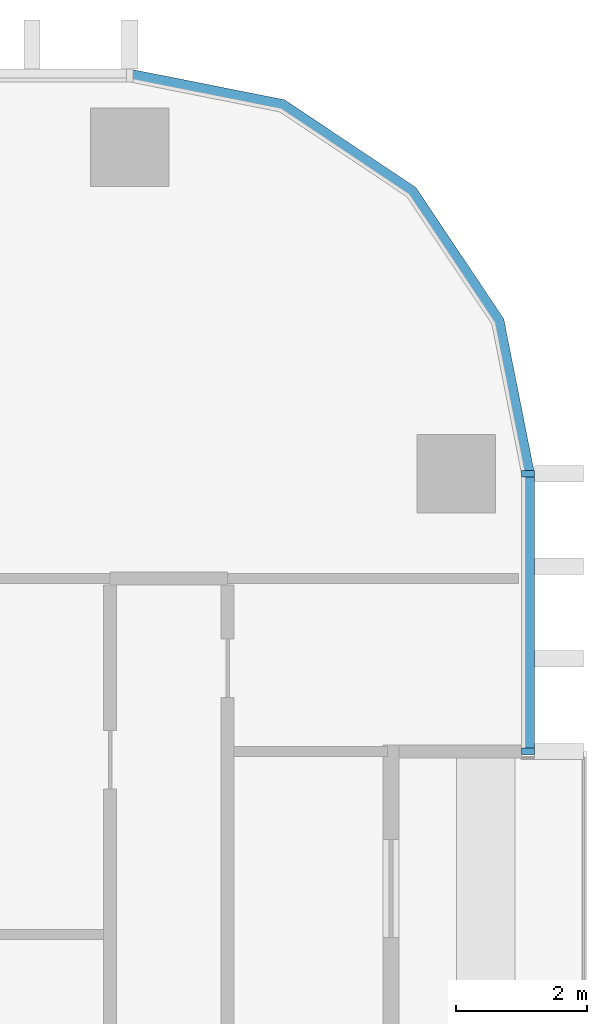
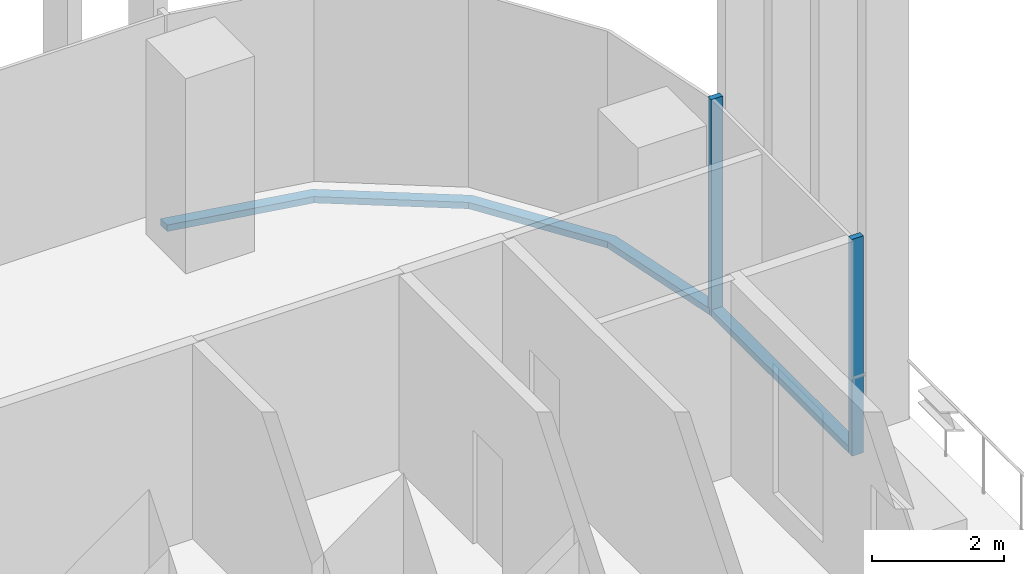
# One storey, part 5 of 15: 4 members, 2 elements without a shape of their own.
"""IFC4 building model written with IfcOpenShell, lengths in metres."""

from ifc_helpers import new_model, si_unit, direction, frame, origin, origin_2d, place, context, subcontext, project, spatial, polyline, rectangle, outline, extrude, material, material_profile, profile_set, type_object, element, aggregate, save


model = new_model("IFC4")

# Units and contexts
model_context = context("Model", 3, precision=1e-05, world=origin(), true_north=direction((0.0, 1.0)))
body_context = subcontext(model_context, "Body", "Model", "MODEL_VIEW")
ifc_project = project(units=[si_unit("LENGTHUNIT", "METRE"), si_unit("AREAUNIT", "SQUARE_METRE"), si_unit("VOLUMEUNIT", "CUBIC_METRE"), si_unit("PLANEANGLEUNIT", "RADIAN"), si_unit("MASSUNIT", "GRAM", prefix="KILO")], contexts=[model_context])

# Site, building, storey
site_placement = place(None, origin())
site = spatial("IfcSite", under=ifc_project, at=site_placement, CompositionType="ELEMENT")
building_placement = place(site_placement, origin())
building = spatial("IfcBuilding", under=site, at=building_placement, Name="Mopane Tessera Tower", CompositionType="ELEMENT")
storey_placement = place(building_placement, frame((0.0, 0.0, 169.0)))
storey = spatial("IfcBuildingStorey", under=building, at=storey_placement, Name="L34", CompositionType="ELEMENT", Elevation=169.0)

# Curtain wall, members
ifc_material_1 = material(Name="Aluminium frame", Category="aluminium")
curtain_wall_type = type_object("IfcCurtainWallType", Name="Unitised curtain wall", PredefinedType="NOTDEFINED", material=ifc_material_1)
curtain_wall_1_placement = place(storey_placement, origin())
curtain_wall_1 = element("IfcCurtainWall", 1, at=curtain_wall_1_placement, inside=storey, type_object=curtain_wall_type, Name="e:cw:L34:E:7", PredefinedType="NOTDEFINED")
ifc_material_2 = material(Name="Aluminium frame", Category="aluminium")
ifc_material_profile_1 = material_profile(ifc_material_2, rectangle(XDim=0.10009765625, YDim=0.199951171875, at=origin_2d()))
ifc_profile_set_1 = profile_set([ifc_material_profile_1], Name="Aluminium frame")
member_type_1 = type_object("IfcMemberType", Name="Aluminium mullion 100 x 200", PredefinedType="MULLION", material=ifc_profile_set_1)
member_1_placement = place(storey_placement, frame((26.300048828125, 12.75, -0.39990234375), z_axis=(0.0, 0.0, 1.0), x_axis=(0.0, 1.0, 0.0)))
member_1 = element("IfcMember", 2, at=member_1_placement, type_object=member_type_1, Name="e:cw:L34:E:7:mu7", PredefinedType="MULLION", context=body_context, shape_type="SweptSolid", body=[
    extrude(rectangle(XDim=0.10009765625, YDim=0.199951171875, at=origin_2d()), origin(), (0.0, 0.0, 1.0), 4.0),
])
member_2_placement = place(storey_placement, frame((26.300048828125, 17.0, -0.39990234375), z_axis=(0.0, 0.0, 1.0), x_axis=(0.0, 1.0, 0.0)))
member_2 = element("IfcMember", 3, at=member_2_placement, type_object=member_type_1, Name="e:cw:L34:E:7:mu8", PredefinedType="MULLION", context=body_context, shape_type="SweptSolid", body=[
    extrude(rectangle(XDim=0.10009765625, YDim=0.199951171875, at=origin_2d()), origin(), (0.0, 0.0, 1.0), 4.0),
])
ifc_material_3 = material(Name="Aluminium frame", Category="aluminium")
ifc_material_profile_2 = material_profile(ifc_material_3, rectangle(XDim=0.199951171875, YDim=0.1201171875, at=origin_2d()))
ifc_profile_set_2 = profile_set([ifc_material_profile_2], Name="Aluminium frame")
member_type_2 = type_object("IfcMemberType", Name="Aluminium transom 200 x 120", PredefinedType="USERDEFINED", material=ifc_profile_set_2)
member_3_placement = place(storey_placement, frame((26.300048828125, 12.800048828125, -0.340087890625), z_axis=(0.0, 1.0, 0.0), x_axis=(-1.0, 0.0, 0.0)))
member_3 = element("IfcMember", 4, at=member_3_placement, type_object=member_type_2, Name="e:cw:L34:E:7:tr7", ObjectType="TRANSOM", PredefinedType="USERDEFINED", context=body_context, shape_type="SweptSolid", body=[
    extrude(rectangle(XDim=0.199951171875, YDim=0.1201171875, at=origin_2d()), origin(), (0.0, 0.0, 1.0), 4.14990234375),
])
aggregate(curtain_wall_1, [member_1, member_2, member_3])

# Curtain wall, member
curtain_wall_2_placement = place(storey_placement, origin())
curtain_wall_2 = element("IfcCurtainWall", 5, at=curtain_wall_2_placement, inside=storey, type_object=curtain_wall_type, Name="e:cw:L34:CE", PredefinedType="NOTDEFINED")
member_4_placement = place(storey_placement, frame((0.0, 0.0, -0.39990234375)))
member_4 = element("IfcMember", 6, at=member_4_placement, type_object=member_type_2, Name="e:cw:L34:CE:tr", ObjectType="TRANSOM", PredefinedType="USERDEFINED", context=body_context, shape_type="SweptSolid", body=[
    extrude(outline(polyline([(26.199951171875, 17.0), (25.7431640625, 19.296142578125), (24.442626953125, 21.24267578125), (22.49609375, 22.543212890625), (20.199951171875, 23.0), (20.199951171875, 23.199951171875), (22.57275390625, 22.72802734375), (24.583984375, 21.384033203125), (25.927978515625, 19.37255859375), (26.39990234375, 17.0), (26.199951171875, 17.0)])), origin(), (0.0, 0.0, 1.0), 0.119873046875),
])
aggregate(curtain_wall_2, [member_4])

save(model, "model.ifc")
